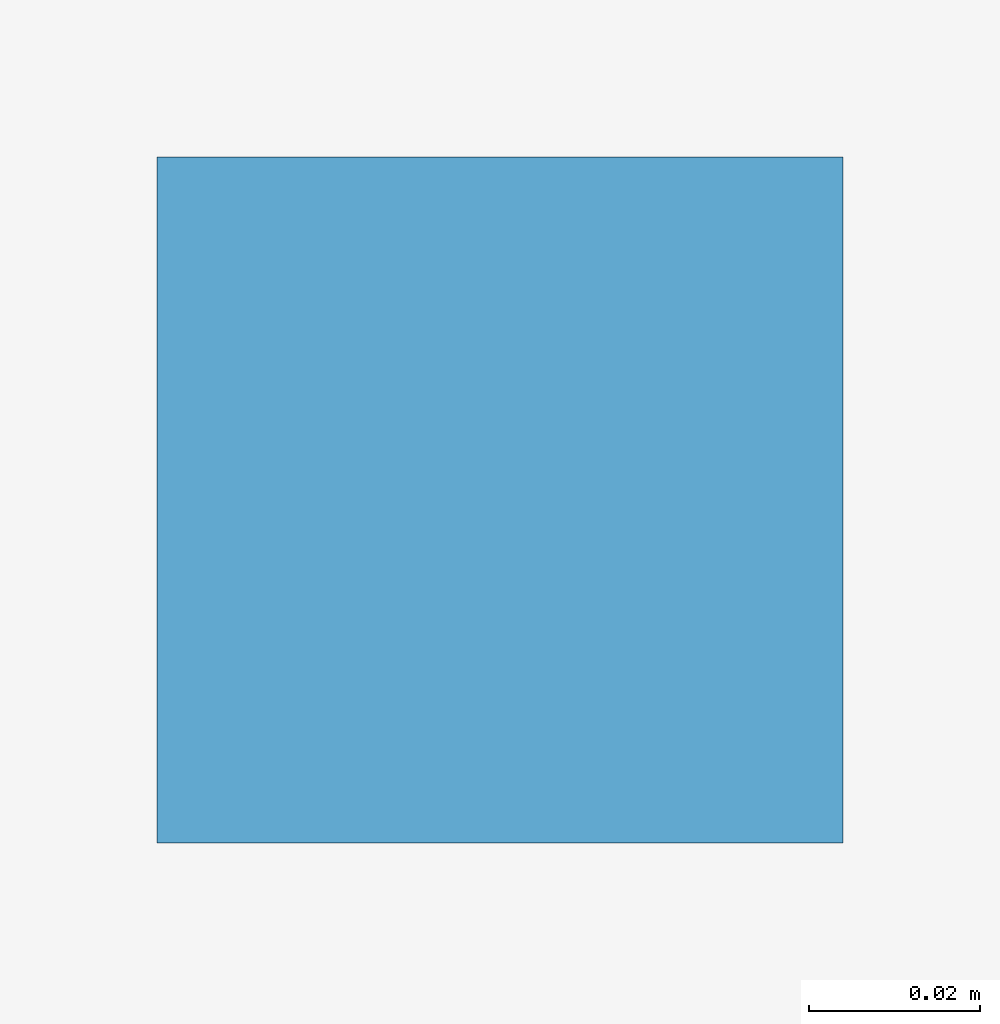
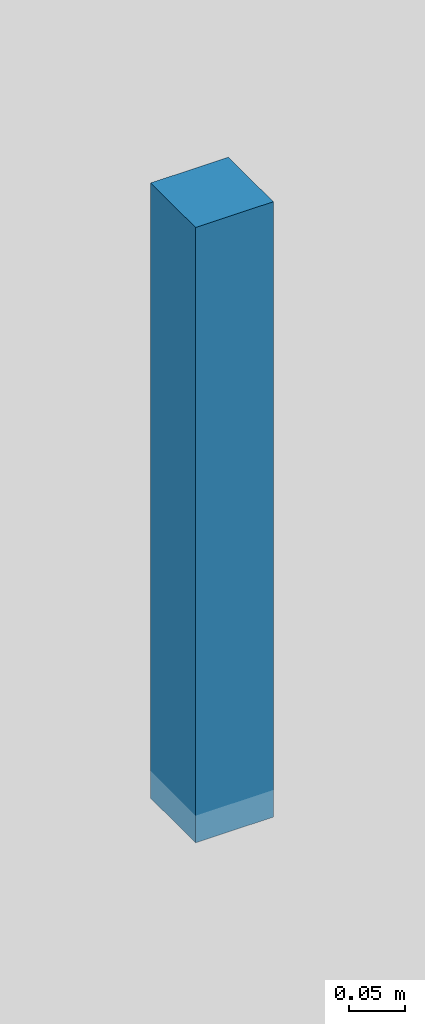
# One storey, part 12 of 17: 1 discrete accessory.
"""IFC4 building model written with IfcOpenShell, lengths in metres."""

from ifc_helpers import new_model, si_unit, direction, frame, origin, origin_2d, place, context, subcontext, project, spatial, rectangle, extrude, source, transform, mapped, material, type_object, element, save


model = new_model("IFC4")

# Units and contexts
model_context = context("Model", 3, precision=1e-05, world=origin(), true_north=direction((0.0, 1.0)))
body_context = subcontext(model_context, "Body", "Model", "MODEL_VIEW")
ifc_project = project(units=[si_unit("LENGTHUNIT", "METRE"), si_unit("AREAUNIT", "SQUARE_METRE"), si_unit("VOLUMEUNIT", "CUBIC_METRE"), si_unit("PLANEANGLEUNIT", "RADIAN"), si_unit("MASSUNIT", "GRAM", prefix="KILO")], contexts=[model_context])

# Site, building, storey
site_placement = place(None, origin())
site = spatial("IfcSite", under=ifc_project, at=site_placement, CompositionType="ELEMENT")
building_placement = place(site_placement, origin())
building = spatial("IfcBuilding", under=site, at=building_placement, Name="Giltprow Tower", CompositionType="ELEMENT")
storey_placement = place(building_placement, frame((0.0, 0.0, 206.199951171875)))
storey = spatial("IfcBuildingStorey", under=building, at=storey_placement, Name="L52", CompositionType="ELEMENT", Elevation=206.199951171875)

# Discrete accessory
ifc_material = material(Name="Structural steel Q355B", Category="steel")
discrete_accessory_type = type_object("IfcDiscreteAccessoryType", Name="ACC-CLG-HANGER", PredefinedType="BRACKET", material=ifc_material)
shared_shape = source(origin(), body_context, "Body", "SweptSolid", [
    extrude(rectangle(XDim=0.080078125, YDim=0.080078125, at=origin_2d()), origin(), (0.0, 0.0, 1.0), 0.669921875),
])
discrete_accessory_placement = place(storey_placement, frame((35.0, 35.675048828125, 2.6201171875), z_axis=(0.0, 0.0, 1.0), x_axis=(1.0, 0.0, 0.0)))
element("IfcDiscreteAccessory", 1, at=discrete_accessory_placement, inside=storey, type_object=discrete_accessory_type, Name="L52 Hotel Corridor Gypsum Ceiling Suspension Hanger", PredefinedType="BRACKET", context=body_context, shape_type="MappedRepresentation", body=[
    mapped(shared_shape, transform((0.0, 0.0, 0.0), x_axis=(1.0, 0.0, 0.0), y_axis=(0.0, 1.0, 0.0), z_axis=(0.0, 0.0, 1.0), scale=1.0)),
])

save(model, "model.ifc")
